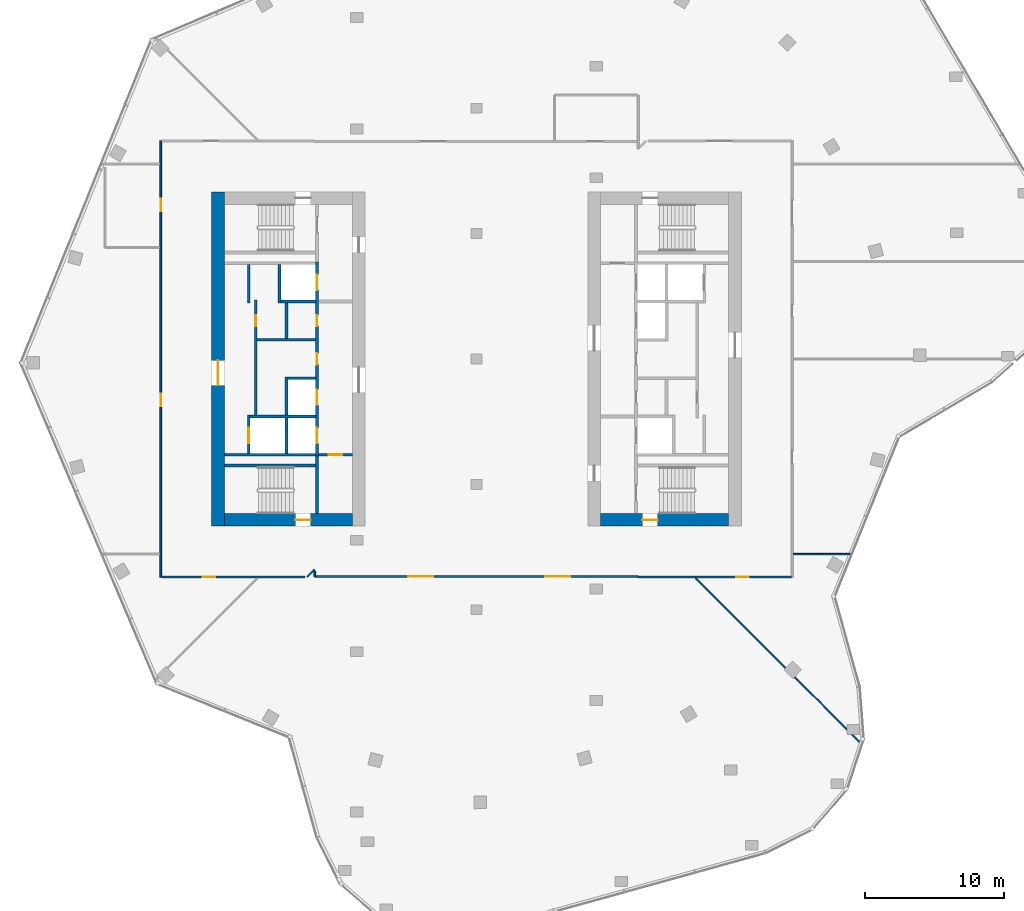
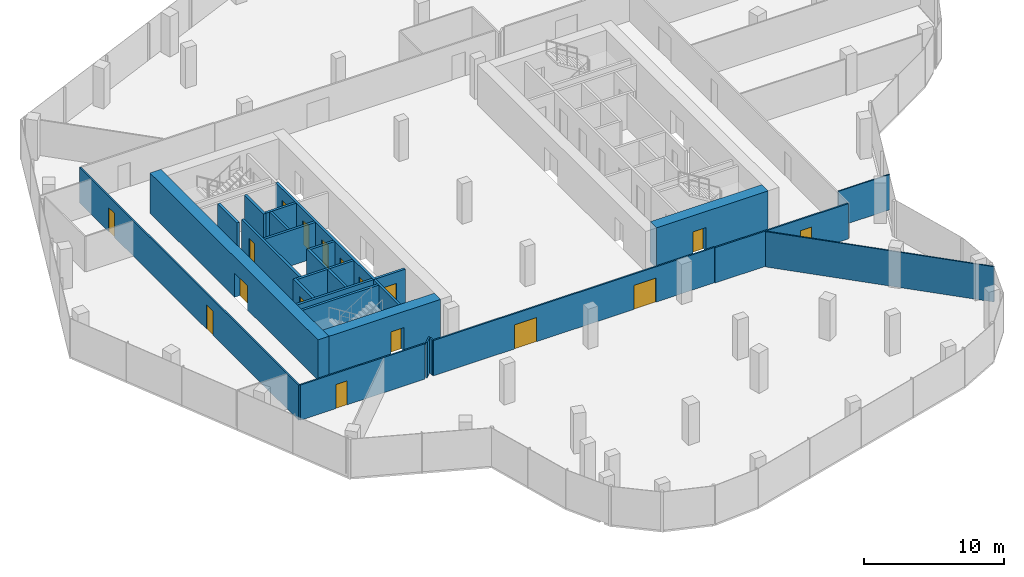
# One storey, part 12 of 15: 27 walls, 17 doors, 17 openings.
"""IFC4 building model written with IfcOpenShell, lengths in metres."""

from ifc_helpers import new_model, si_unit, direction, frame, frame_2d, origin, place, context, subcontext, project, spatial, rectangle, extrude, material, layer, layer_set, type_object, element, fill, save


model = new_model("IFC4")

# Units and contexts
model_context = context("Model", 3, precision=1e-05, world=origin(), true_north=direction((0.0, 1.0)))
body_context = subcontext(model_context, "Body", "Model", "MODEL_VIEW")
ifc_project = project(units=[si_unit("LENGTHUNIT", "METRE"), si_unit("AREAUNIT", "SQUARE_METRE"), si_unit("VOLUMEUNIT", "CUBIC_METRE"), si_unit("PLANEANGLEUNIT", "RADIAN"), si_unit("MASSUNIT", "GRAM", prefix="KILO")], contexts=[model_context])

# Site, building, storey
site_placement = place(None, origin())
site = spatial("IfcSite", under=ifc_project, at=site_placement, CompositionType="ELEMENT")
building_placement = place(site_placement, origin())
building = spatial("IfcBuilding", under=site, at=building_placement, Name="Orlundy Tower", CompositionType="ELEMENT")
storey_placement = place(building_placement, frame((0.0, 0.0, 278.89990234375)))
storey = spatial("IfcBuildingStorey", under=building, at=storey_placement, Name="L74", CompositionType="ELEMENT", Elevation=278.89990234375)

# Wall, opening, door
ifc_material_1 = material(Name="Concrete C50/60", Category="concrete")
ifc_layer_1 = layer(ifc_material_1, 0.89990234375)
ifc_layer_set_1 = layer_set([ifc_layer_1], Name="CORE WALL 900 C50/60")
wall_type_1 = type_object("IfcWallType", Name="CORE WALL 900 C50/60", PredefinedType="SHEAR", material=ifc_layer_set_1)
wall_1_placement = place(storey_placement, frame((-18.10009765625, -11.550048828125, 0.0), z_axis=(0.0, 0.0, 1.0), x_axis=(1.0, 0.0, 0.0)))
wall_1 = element("IfcWall", 1, at=wall_1_placement, inside=storey, type_object=wall_type_1, Name="Core wall W-S L74", PredefinedType="SHEAR", context=body_context, shape_type="SweptSolid", body=[
    extrude(rectangle(XDim=9.2001953125, YDim=0.89990234375, at=frame_2d((4.60009765625, 0.0))), origin(), (0.0, 0.0, 1.0), 3.5),
])
opening_1_placement = place(wall_1_placement, frame((5.10009765625, 0.0, 0.0)))
opening_1 = element("IfcOpeningElement", 2, at=opening_1_placement, cuts=wall_1, Name="Opening 56012", PredefinedType="OPENING", context=body_context, shape_type="SweptSolid", body=[
    extrude(rectangle(XDim=1.10009765625, YDim=2.10009765625, at=frame_2d((0.550048828125, 1.050048828125))), frame((0.0, 0.4599609375, 0.0), z_axis=(0.0, -1.0, 0.0), x_axis=(1.0, 0.0, 0.0)), (0.0, 0.0, 1.0), 0.919921875),
])
ifc_material_2 = material(Name="Steel door set", Category="steel")
door_type_1 = type_object("IfcDoorType", Name="Stair Door 1100x2100", OperationType="SINGLE_SWING_LEFT", PredefinedType="DOOR", material=ifc_material_2)
door_1_placement = place(opening_1_placement, origin())
door_1 = element("IfcDoor", 3, at=door_1_placement, inside=storey, type_object=door_type_1, Name="Stair door 56012", OperationType="SINGLE_SWING_RIGHT", OverallHeight=2.10009765625, OverallWidth=1.10009765625, PredefinedType="DOOR", context=body_context, shape_type="SweptSolid", body=[
    extrude(rectangle(XDim=1.10009765625, YDim=2.10009765625, at=frame_2d((0.550048828125, 1.050048828125))), frame((0.0, 0.02490234375, 0.0), z_axis=(0.0, -1.0, 0.0), x_axis=(1.0, 0.0, 0.0)), (0.0, 0.0, 1.0), 0.050048828125),
])
fill(opening_1, door_1)

wall_2_placement = place(storey_placement, frame((-18.550048828125, -12.0, 0.0), z_axis=(0.0, 0.0, 1.0), x_axis=(0.0, 1.0, 0.0)))
wall_2 = element("IfcWall", 4, at=wall_2_placement, inside=storey, type_object=wall_type_1, Name="Core wall W-W L74", PredefinedType="SHEAR", context=body_context, shape_type="SweptSolid", body=[
    extrude(rectangle(XDim=24.0, YDim=0.89990234375, at=frame_2d((12.0, 0.0))), origin(), (0.0, 0.0, 1.0), 3.5),
])
opening_2_placement = place(wall_2_placement, frame((10.10009765625, 0.0, 0.0)))
opening_2 = element("IfcOpeningElement", 5, at=opening_2_placement, cuts=wall_2, Name="Opening 56009", PredefinedType="OPENING", context=body_context, shape_type="SweptSolid", body=[
    extrude(rectangle(XDim=1.800048828125, YDim=2.10009765625, at=frame_2d((0.89990234375, 1.050048828125))), frame((0.0, 0.4599609375, 0.0), z_axis=(0.0, -1.0, 0.0), x_axis=(1.0, 0.0, 0.0)), (0.0, 0.0, 1.0), 0.919921875),
])
ifc_material_3 = material(Name="Timber door set", Category="wood")
door_type_2 = type_object("IfcDoorType", Name="Lobby Door 1800x2100", OperationType="DOUBLE_DOOR_DOUBLE_SWING", PredefinedType="DOOR", material=ifc_material_3)
door_2_placement = place(opening_2_placement, origin())
door_2 = element("IfcDoor", 6, at=door_2_placement, inside=storey, type_object=door_type_2, Name="Lift lobby door 56009", OperationType="SINGLE_SWING_LEFT", OverallHeight=2.10009765625, OverallWidth=1.800048828125, PredefinedType="DOOR", context=body_context, shape_type="SweptSolid", body=[
    extrude(rectangle(XDim=1.800048828125, YDim=2.10009765625, at=frame_2d((0.89990234375, 1.050048828125))), frame((0.0, 0.02490234375, 0.0), z_axis=(0.0, -1.0, 0.0), x_axis=(1.0, 0.0, 0.0)), (0.0, 0.0, 1.0), 0.050048828125),
])
fill(opening_2, door_2)

wall_3_placement = place(storey_placement, frame((8.89990234375, -11.550048828125, 0.0), z_axis=(0.0, 0.0, 1.0), x_axis=(1.0, 0.0, 0.0)))
wall_3 = element("IfcWall", 7, at=wall_3_placement, inside=storey, type_object=wall_type_1, Name="Core wall E-S L74", PredefinedType="SHEAR", context=body_context, shape_type="SweptSolid", body=[
    extrude(rectangle(XDim=9.2001953125, YDim=0.89990234375, at=frame_2d((4.60009765625, 0.0))), origin(), (0.0, 0.0, 1.0), 3.5),
])
opening_3_placement = place(wall_3_placement, frame((3.0, 0.0, 0.0)))
opening_3 = element("IfcOpeningElement", 8, at=opening_3_placement, cuts=wall_3, Name="Opening 56060", PredefinedType="OPENING", context=body_context, shape_type="SweptSolid", body=[
    extrude(rectangle(XDim=1.10009765625, YDim=2.10009765625, at=frame_2d((0.550048828125, 1.050048828125))), frame((0.0, 0.4599609375, 0.0), z_axis=(0.0, -1.0, 0.0), x_axis=(1.0, 0.0, 0.0)), (0.0, 0.0, 1.0), 0.919921875),
])
door_3_placement = place(opening_3_placement, origin())
door_3 = element("IfcDoor", 9, at=door_3_placement, inside=storey, type_object=door_type_1, Name="Stair door 56060", OperationType="SINGLE_SWING_LEFT", OverallHeight=2.10009765625, OverallWidth=1.10009765625, PredefinedType="DOOR", context=body_context, shape_type="SweptSolid", body=[
    extrude(rectangle(XDim=1.10009765625, YDim=2.10009765625, at=frame_2d((0.550048828125, 1.050048828125))), frame((0.0, 0.02490234375, 0.0), z_axis=(0.0, -1.0, 0.0), x_axis=(1.0, 0.0, 0.0)), (0.0, 0.0, 1.0), 0.050048828125),
])
fill(opening_3, door_3)

# Walls
ifc_material_4 = material(Name="Gypsum board partition")
ifc_layer_2 = layer(ifc_material_4, 0.10009765625)
ifc_layer_set_2 = layer_set([ifc_layer_2], Name="Floor partition 100")
wall_type_2 = type_object("IfcWallType", Name="Floor partition 100", PredefinedType="PARTITIONING", material=ifc_layer_set_2)
wall_4_placement = place(storey_placement, frame((27.68701171875, -27.68505859375, 0.0), z_axis=(0.0, 0.0, 1.0), x_axis=(-0.70713570585, 0.70707785534, 0.0)))
element("IfcWall", 10, at=wall_4_placement, inside=storey, type_object=wall_type_2, Name="wall-int-L74-002", PredefinedType="PARTITIONING", context=body_context, shape_type="SweptSolid", body=[
    extrude(rectangle(XDim=16.880859375, YDim=0.10009765625, at=frame_2d((8.4404296875, 0.0))), origin(), (0.0, 0.0, 1.0), 3.080078125),
])
wall_5_placement = place(storey_placement, frame((22.7119140625, -14.0, 0.0), z_axis=(0.0, 0.0, 1.0), x_axis=(1.0, 0.0, 0.0)))
element("IfcWall", 11, at=wall_5_placement, inside=storey, type_object=wall_type_2, Name="wall-int-L74-008", PredefinedType="PARTITIONING", context=body_context, shape_type="SweptSolid", body=[
    extrude(rectangle(XDim=4.258056640625, YDim=0.10009765625, at=frame_2d((2.12890625, 0.0))), origin(), (0.0, 0.0, 1.0), 3.080078125),
])
ifc_material_5 = material(Name="Gypsum board partition, double layer")
ifc_layer_3 = layer(ifc_material_5, 0.125)
ifc_layer_set_3 = layer_set([ifc_layer_3], Name="Floor partition 125")
wall_type_3 = type_object("IfcWallType", Name="Floor partition 125", PredefinedType="PARTITIONING", material=ifc_layer_set_3)
wall_6_placement = place(storey_placement, frame((-11.60107421875, -15.241943359375, 0.0), z_axis=(0.0, 0.0, 1.0), x_axis=(0.002734097778, -0.999996262348, 0.0)))
element("IfcWall", 12, at=wall_6_placement, inside=storey, type_object=wall_type_3, Name="wall-int-L74-001", PredefinedType="PARTITIONING", context=body_context, shape_type="SweptSolid", body=[
    extrude(rectangle(XDim=0.357177734375, YDim=0.125, at=frame_2d((0.1787109375, 0.0))), origin(), (0.0, 0.0, 1.0), 3.080078125),
])

# Wall, opening, door
wall_7_placement = place(storey_placement, frame((-12.31103515625, -15.65087890625, 0.0), z_axis=(0.0, 0.0, 1.0), x_axis=(-1.0, 0.0, 0.0)))
wall_7 = element("IfcWall", 13, at=wall_7_placement, inside=storey, type_object=wall_type_3, Name="wall-int-L74-004", PredefinedType="PARTITIONING", context=body_context, shape_type="SweptSolid", body=[
    extrude(rectangle(XDim=10.27587890625, YDim=0.125, at=frame_2d((5.137939453125, 0.0))), origin(), (0.0, 0.0, 1.0), 3.080078125),
])
opening_4_placement = place(wall_7_placement, frame((6.440185546875, 0.0, 0.0)))
opening_4 = element("IfcOpeningElement", 14, at=opening_4_placement, cuts=wall_7, Name="Opening 56101", PredefinedType="OPENING", context=body_context, shape_type="SweptSolid", body=[
    extrude(rectangle(XDim=0.89990234375, YDim=2.10009765625, at=frame_2d((0.449951171875, 1.050048828125))), frame((0.0, 0.072509765625, 0.0), z_axis=(0.0, -1.0, 0.0), x_axis=(1.0, 0.0, 0.0)), (0.0, 0.0, 1.0), 0.14501953125),
])
ifc_material_6 = material(Name="Timber door leaf", Category="wood")
door_type_3 = type_object("IfcDoorType", Name="Floor door single 900 FD30S", OperationType="NOTDEFINED", PredefinedType="DOOR", material=ifc_material_6)
door_4_placement = place(opening_4_placement, origin())
door_4 = element("IfcDoor", 15, at=door_4_placement, inside=storey, type_object=door_type_3, Name="Door 56101", OperationType="SINGLE_SWING_RIGHT", OverallHeight=2.10009765625, OverallWidth=0.89990234375, PredefinedType="DOOR", context=body_context, shape_type="SweptSolid", body=[
    extrude(rectangle(XDim=0.89990234375, YDim=2.10009765625, at=frame_2d((0.449951171875, 1.050048828125))), frame((0.0, 0.02490234375, 0.0), z_axis=(0.0, -1.0, 0.0), x_axis=(1.0, 0.0, 0.0)), (0.0, 0.0, 1.0), 0.050048828125),
])
fill(opening_4, door_4)

wall_8_placement = place(storey_placement, frame((22.5869140625, -15.65087890625, 0.0), z_axis=(0.0, 0.0, 1.0), x_axis=(-1.0, 0.0, 0.0)))
wall_8 = element("IfcWall", 16, at=wall_8_placement, inside=storey, type_object=wall_type_3, Name="wall-int-L74-005", PredefinedType="PARTITIONING", context=body_context, shape_type="SweptSolid", body=[
    extrude(rectangle(XDim=10.995849609375, YDim=0.125, at=frame_2d((5.498046875, 0.0))), origin(), (0.0, 0.0, 1.0), 3.080078125),
])
opening_5_placement = place(wall_8_placement, frame((3.03759765625, 0.0, 0.0)))
opening_5 = element("IfcOpeningElement", 17, at=opening_5_placement, cuts=wall_8, Name="Opening 56104", PredefinedType="OPENING", context=body_context, shape_type="SweptSolid", body=[
    extrude(rectangle(XDim=0.89990234375, YDim=2.10009765625, at=frame_2d((0.449951171875, 1.050048828125))), frame((0.0, 0.072509765625, 0.0), z_axis=(0.0, -1.0, 0.0), x_axis=(1.0, 0.0, 0.0)), (0.0, 0.0, 1.0), 0.14501953125),
])
door_5_placement = place(opening_5_placement, origin())
door_5 = element("IfcDoor", 18, at=door_5_placement, inside=storey, type_object=door_type_3, Name="Door 56104", OperationType="SINGLE_SWING_LEFT", OverallHeight=2.10009765625, OverallWidth=0.89990234375, PredefinedType="DOOR", context=body_context, shape_type="SweptSolid", body=[
    extrude(rectangle(XDim=0.89990234375, YDim=2.10009765625, at=frame_2d((0.449951171875, 1.050048828125))), frame((0.0, 0.02490234375, 0.0), z_axis=(0.0, -1.0, 0.0), x_axis=(1.0, 0.0, 0.0)), (0.0, 0.0, 1.0), 0.050048828125),
])
fill(opening_5, door_5)

# Wall, openings, doors
wall_9_placement = place(storey_placement, frame((11.590087890625, -15.60009765625, 0.0), z_axis=(0.0, 0.0, 1.0), x_axis=(-1.0, 0.0, 0.0)))
wall_9 = element("IfcWall", 19, at=wall_9_placement, inside=storey, type_object=wall_type_3, Name="wall-int-L74-006", PredefinedType="PARTITIONING", context=body_context, shape_type="SweptSolid", body=[
    extrude(rectangle(XDim=23.189208984375, YDim=0.125, at=frame_2d((11.5947265625, 0.0))), origin(), (0.0, 0.0, 1.0), 3.080078125),
])
opening_6_placement = place(wall_9_placement, frame((14.68994140625, 0.0, 0.0)))
opening_6 = element("IfcOpeningElement", 20, at=opening_6_placement, cuts=wall_9, Name="Opening 56102", PredefinedType="OPENING", context=body_context, shape_type="SweptSolid", body=[
    extrude(rectangle(XDim=1.800048828125, YDim=2.10009765625, at=frame_2d((0.89990234375, 1.050048828125))), frame((0.0, 0.072509765625, 0.0), z_axis=(0.0, -1.0, 0.0), x_axis=(1.0, 0.0, 0.0)), (0.0, 0.0, 1.0), 0.14501953125),
])
opening_7_placement = place(wall_9_placement, frame((4.85009765625, 0.0, 0.0)))
opening_7 = element("IfcOpeningElement", 21, at=opening_7_placement, cuts=wall_9, Name="Opening 56103", PredefinedType="OPENING", context=body_context, shape_type="SweptSolid", body=[
    extrude(rectangle(XDim=1.800048828125, YDim=2.10009765625, at=frame_2d((0.89990234375, 1.050048828125))), frame((0.0, 0.072509765625, 0.0), z_axis=(0.0, -1.0, 0.0), x_axis=(1.0, 0.0, 0.0)), (0.0, 0.0, 1.0), 0.14501953125),
])
ifc_material_7 = material(Name="Timber door leaf", Category="wood")
door_type_4 = type_object("IfcDoorType", Name="Floor door double 1800 FD30S", OperationType="NOTDEFINED", PredefinedType="DOOR", material=ifc_material_7)
door_6_placement = place(opening_6_placement, origin())
door_6 = element("IfcDoor", 22, at=door_6_placement, inside=storey, type_object=door_type_4, Name="Door 56102", OperationType="DOUBLE_DOOR_SINGLE_SWING", OverallHeight=2.10009765625, OverallWidth=1.800048828125, PredefinedType="DOOR", context=body_context, shape_type="SweptSolid", body=[
    extrude(rectangle(XDim=1.800048828125, YDim=2.10009765625, at=frame_2d((0.89990234375, 1.050048828125))), frame((0.0, 0.02490234375, 0.0), z_axis=(0.0, -1.0, 0.0), x_axis=(1.0, 0.0, 0.0)), (0.0, 0.0, 1.0), 0.050048828125),
])
fill(opening_6, door_6)
door_7_placement = place(opening_7_placement, origin())
door_7 = element("IfcDoor", 23, at=door_7_placement, inside=storey, type_object=door_type_4, Name="Door 56103", OperationType="DOUBLE_DOOR_SINGLE_SWING", OverallHeight=2.10009765625, OverallWidth=1.800048828125, PredefinedType="DOOR", context=body_context, shape_type="SweptSolid", body=[
    extrude(rectangle(XDim=1.800048828125, YDim=2.10009765625, at=frame_2d((0.89990234375, 1.050048828125))), frame((0.0, 0.02490234375, 0.0), z_axis=(0.0, -1.0, 0.0), x_axis=(1.0, 0.0, 0.0)), (0.0, 0.0, 1.0), 0.050048828125),
])
fill(opening_7, door_7)

# Wall
wall_10_placement = place(storey_placement, frame((-12.153076171875, -15.626953125, 0.0), z_axis=(0.0, 0.0, 1.0), x_axis=(0.707270558084, 0.706942966348, 0.0)))
element("IfcWall", 24, at=wall_10_placement, inside=storey, type_object=wall_type_3, Name="wall-int-L74-018", PredefinedType="PARTITIONING", context=body_context, shape_type="SweptSolid", body=[
    extrude(rectangle(XDim=0.745361328125, YDim=0.125, at=frame_2d((0.37255859375, 0.0))), origin(), (0.0, 0.0, 1.0), 3.080078125),
])

# Wall, openings, doors
wall_11_placement = place(storey_placement, frame((-22.64990234375, -15.65087890625, 0.0), z_axis=(0.0, 0.0, 1.0), x_axis=(0.0, 1.0, 0.0)))
wall_11 = element("IfcWall", 25, at=wall_11_placement, inside=storey, type_object=wall_type_3, Name="wall-int-L74-024", PredefinedType="PARTITIONING", context=body_context, shape_type="SweptSolid", body=[
    extrude(rectangle(XDim=31.3017578125, YDim=0.125, at=frame_2d((15.65087890625, 0.0))), origin(), (0.0, 0.0, 1.0), 3.080078125),
])
opening_8_placement = place(wall_11_placement, frame((12.2509765625, 0.0, 0.0)))
opening_8 = element("IfcOpeningElement", 26, at=opening_8_placement, cuts=wall_11, Name="Opening 56100", PredefinedType="OPENING", context=body_context, shape_type="SweptSolid", body=[
    extrude(rectangle(XDim=0.89990234375, YDim=2.10009765625, at=frame_2d((0.449951171875, 1.050048828125))), frame((0.0, 0.072509765625, 0.0), z_axis=(0.0, -1.0, 0.0), x_axis=(1.0, 0.0, 0.0)), (0.0, 0.0, 1.0), 0.14501953125),
])
opening_9_placement = place(wall_11_placement, frame((26.251953125, 0.0, 0.0)))
opening_9 = element("IfcOpeningElement", 27, at=opening_9_placement, cuts=wall_11, Name="Opening 56111", PredefinedType="OPENING", context=body_context, shape_type="SweptSolid", body=[
    extrude(rectangle(XDim=0.89990234375, YDim=2.10009765625, at=frame_2d((0.449951171875, 1.050048828125))), frame((0.0, 0.072509765625, 0.0), z_axis=(0.0, -1.0, 0.0), x_axis=(1.0, 0.0, 0.0)), (0.0, 0.0, 1.0), 0.14501953125),
])
door_8_placement = place(opening_8_placement, origin())
door_8 = element("IfcDoor", 28, at=door_8_placement, inside=storey, type_object=door_type_3, Name="Door 56100", OperationType="SINGLE_SWING_LEFT", OverallHeight=2.10009765625, OverallWidth=0.89990234375, PredefinedType="DOOR", context=body_context, shape_type="SweptSolid", body=[
    extrude(rectangle(XDim=0.89990234375, YDim=2.10009765625, at=frame_2d((0.449951171875, 1.050048828125))), frame((0.0, 0.02490234375, 0.0), z_axis=(0.0, -1.0, 0.0), x_axis=(1.0, 0.0, 0.0)), (0.0, 0.0, 1.0), 0.050048828125),
])
fill(opening_8, door_8)
door_9_placement = place(opening_9_placement, origin())
door_9 = element("IfcDoor", 29, at=door_9_placement, inside=storey, type_object=door_type_3, Name="Door 56111", OperationType="SINGLE_SWING_RIGHT", OverallHeight=2.10009765625, OverallWidth=0.89990234375, PredefinedType="DOOR", context=body_context, shape_type="SweptSolid", body=[
    extrude(rectangle(XDim=0.89990234375, YDim=2.10009765625, at=frame_2d((0.449951171875, 1.050048828125))), frame((0.0, 0.02490234375, 0.0), z_axis=(0.0, -1.0, 0.0), x_axis=(1.0, 0.0, 0.0)), (0.0, 0.0, 1.0), 0.050048828125),
])
fill(opening_9, door_9)

# Walls
ifc_material_8 = material(Name="Concrete C40/50", Category="concrete")
ifc_layer_4 = layer(ifc_material_8, 0.199951171875)
ifc_layer_set_4 = layer_set([ifc_layer_4], Name="Load-bearing Shaft Wall 200")
wall_type_4 = type_object("IfcWallType", Name="Load-bearing Shaft Wall 200", PredefinedType="SOLIDWALL", material=ifc_layer_set_4)
wall_12_placement = place(storey_placement, frame((-11.43994140625, -11.10009765625, 0.0), z_axis=(0.0, 0.0, 1.0), x_axis=(0.0, 1.0, 0.0)))
element("IfcWall", 30, at=wall_12_placement, inside=storey, type_object=wall_type_4, Name="Shaft wall W56-stair-end-s", PredefinedType="SOLIDWALL", context=body_context, shape_type="SweptSolid", body=[
    extrude(rectangle(XDim=4.125, YDim=0.199951171875, at=frame_2d((2.0625, 0.0))), origin(), (0.0, 0.0, 1.0), 3.090087890625),
])
wall_13_placement = place(storey_placement, frame((-11.5400390625, -7.64990234375, 0.0), z_axis=(0.0, 0.0, 1.0), x_axis=(-1.0, 0.0, 0.0)))
element("IfcWall", 31, at=wall_13_placement, inside=storey, type_object=wall_type_4, Name="Shaft wall W56-stair-side-s", PredefinedType="SOLIDWALL", context=body_context, shape_type="SweptSolid", body=[
    extrude(rectangle(XDim=6.56005859375, YDim=0.199951171875, at=frame_2d((3.280029296875, 0.0))), origin(), (0.0, 0.0, 1.0), 3.090087890625),
])

# Wall, opening, door
ifc_material_9 = material(Name="Gypsum board partition on steel studs", Category="steel")
ifc_layer_5 = layer(ifc_material_9, 0.199951171875)
ifc_layer_set_5 = layer_set([ifc_layer_5], Name="Partition 200")
wall_type_5 = type_object("IfcWallType", Name="Partition 200", PredefinedType="PARTITIONING", material=ifc_layer_set_5)
wall_14_placement = place(storey_placement, frame((-8.89990234375, -6.875, 0.0), z_axis=(0.0, 0.0, 1.0), x_axis=(-1.0, 0.0, 0.0)))
wall_14 = element("IfcWall", 32, at=wall_14_placement, inside=storey, type_object=wall_type_5, Name="Partition wall W56-end-s", PredefinedType="PARTITIONING", context=body_context, shape_type="SweptSolid", body=[
    extrude(rectangle(XDim=2.440185546875, YDim=0.199951171875, at=frame_2d((1.22021484375, 0.0))), origin(), (0.0, 0.0, 1.0), 3.090087890625),
])
opening_10_placement = place(wall_14_placement, frame((0.719970703125, 0.0, 0.0)))
opening_10 = element("IfcOpeningElement", 33, at=opening_10_placement, cuts=wall_14, Name="Opening 56014", PredefinedType="OPENING", context=body_context, shape_type="SweptSolid", body=[
    extrude(rectangle(XDim=1.0, YDim=2.10009765625, at=frame_2d((0.5, 1.050048828125))), frame((0.0, 0.110107421875, 0.0), z_axis=(0.0, -1.0, 0.0), x_axis=(1.0, 0.0, 0.0)), (0.0, 0.0, 1.0), 0.22021484375),
])
ifc_material_10 = material(Name="Timber door set", Category="wood")
door_type_5 = type_object("IfcDoorType", Name="Accessible Door 1000x2100", OperationType="SINGLE_SWING_LEFT", PredefinedType="DOOR", material=ifc_material_10)
door_10_placement = place(opening_10_placement, origin())
door_10 = element("IfcDoor", 34, at=door_10_placement, inside=storey, type_object=door_type_5, Name="Accessible WC door 56014", OperationType="SINGLE_SWING_RIGHT", OverallHeight=2.10009765625, OverallWidth=1.0, PredefinedType="DOOR", context=body_context, shape_type="SweptSolid", body=[
    extrude(rectangle(XDim=1.0, YDim=2.10009765625, at=frame_2d((0.5, 1.050048828125))), frame((0.0, 0.02490234375, 0.0), z_axis=(0.0, -1.0, 0.0), x_axis=(1.0, 0.0, 0.0)), (0.0, 0.0, 1.0), 0.050048828125),
])
fill(opening_10, door_10)

# Walls
ifc_material_11 = material(Name="Fire-rated blockwork shaft wall", Category="masonry")
ifc_layer_6 = layer(ifc_material_11, 0.199951171875)
ifc_layer_set_6 = layer_set([ifc_layer_6], Name="Shaft Wall 200")
wall_type_6 = type_object("IfcWallType", Name="Shaft Wall 200", PredefinedType="SOLIDWALL", material=ifc_layer_set_6)
wall_15_placement = place(storey_placement, frame((-11.5400390625, -6.875, 0.0), z_axis=(0.0, 0.0, 1.0), x_axis=(-1.0, 0.0, 0.0)))
element("IfcWall", 35, at=wall_15_placement, inside=storey, type_object=wall_type_6, Name="Shaft wall W56-zone-s", PredefinedType="SOLIDWALL", context=body_context, shape_type="SweptSolid", body=[
    extrude(rectangle(XDim=6.56005859375, YDim=0.199951171875, at=frame_2d((3.280029296875, 0.0))), origin(), (0.0, 0.0, 1.0), 3.090087890625),
])
wall_16_placement = place(storey_placement, frame((-11.5400390625, -4.125, 0.0), z_axis=(0.0, 0.0, 1.0), x_axis=(-1.0, 0.0, 0.0)))
element("IfcWall", 36, at=wall_16_placement, inside=storey, type_object=wall_type_6, Name="Shaft wall W56-cross-4.125", PredefinedType="SOLIDWALL", context=body_context, shape_type="SweptSolid", body=[
    extrude(rectangle(XDim=4.699951171875, YDim=0.199951171875, at=frame_2d((2.35009765625, 0.0))), origin(), (0.0, 0.0, 1.0), 3.090087890625),
])
wall_17_placement = place(storey_placement, frame((-11.5400390625, -1.375, 0.0), z_axis=(0.0, 0.0, 1.0), x_axis=(-1.0, 0.0, 0.0)))
element("IfcWall", 37, at=wall_17_placement, inside=storey, type_object=wall_type_6, Name="Shaft wall W56-cross-1.375", PredefinedType="SOLIDWALL", context=body_context, shape_type="SweptSolid", body=[
    extrude(rectangle(XDim=2.0, YDim=0.199951171875, at=frame_2d((1.0, 0.0))), origin(), (0.0, 0.0, 1.0), 3.090087890625),
])
wall_18_placement = place(storey_placement, frame((-11.5400390625, 1.375, 0.0), z_axis=(0.0, 0.0, 1.0), x_axis=(-1.0, 0.0, 0.0)))
element("IfcWall", 38, at=wall_18_placement, inside=storey, type_object=wall_type_6, Name="Shaft wall W56-cross+1.375", PredefinedType="SOLIDWALL", context=body_context, shape_type="SweptSolid", body=[
    extrude(rectangle(XDim=4.199951171875, YDim=0.199951171875, at=frame_2d((2.10009765625, 0.0))), origin(), (0.0, 0.0, 1.0), 3.090087890625),
])
wall_19_placement = place(storey_placement, frame((-11.5400390625, 4.125, 0.0), z_axis=(0.0, 0.0, 1.0), x_axis=(-1.0, 0.0, 0.0)))
element("IfcWall", 39, at=wall_19_placement, inside=storey, type_object=wall_type_6, Name="Shaft wall W56-cross+4.125", PredefinedType="SOLIDWALL", context=body_context, shape_type="SweptSolid", body=[
    extrude(rectangle(XDim=2.5, YDim=0.199951171875, at=frame_2d((1.25, 0.0))), origin(), (0.0, 0.0, 1.0), 3.090087890625),
])

# Wall, openings, doors
wall_20_placement = place(storey_placement, frame((-11.43994140625, -6.97509765625, 0.0), z_axis=(0.0, 0.0, 1.0), x_axis=(0.0, 1.0, 0.0)))
wall_20 = element("IfcWall", 40, at=wall_20_placement, inside=storey, type_object=wall_type_6, Name="Shaft wall W56-front-h", PredefinedType="SOLIDWALL", context=body_context, shape_type="SweptSolid", body=[
    extrude(rectangle(XDim=13.9501953125, YDim=0.199951171875, at=frame_2d((6.97509765625, 0.0))), origin(), (0.0, 0.0, 1.0), 3.090087890625),
])
opening_11_placement = place(wall_20_placement, frame((0.925048828125, 0.0, 0.0)))
opening_11 = element("IfcOpeningElement", 41, at=opening_11_placement, cuts=wall_20, Name="Opening 56001", PredefinedType="OPENING", context=body_context, shape_type="SweptSolid", body=[
    extrude(rectangle(XDim=1.10009765625, YDim=2.10009765625, at=frame_2d((0.550048828125, 1.050048828125))), frame((0.0, 0.110107421875, 0.0), z_axis=(0.0, -1.0, 0.0), x_axis=(1.0, 0.0, 0.0)), (0.0, 0.0, 1.0), 0.22021484375),
])
opening_12_placement = place(wall_20_placement, frame((3.675048828125, 0.0, 0.0)))
opening_12 = element("IfcOpeningElement", 42, at=opening_12_placement, cuts=wall_20, Name="Opening 56003", PredefinedType="OPENING", context=body_context, shape_type="SweptSolid", body=[
    extrude(rectangle(XDim=1.10009765625, YDim=2.10009765625, at=frame_2d((0.550048828125, 1.050048828125))), frame((0.0, 0.110107421875, 0.0), z_axis=(0.0, -1.0, 0.0), x_axis=(1.0, 0.0, 0.0)), (0.0, 0.0, 1.0), 0.22021484375),
])
opening_13_placement = place(wall_20_placement, frame((11.925048828125, 0.0, 0.0)))
opening_13 = element("IfcOpeningElement", 43, at=opening_13_placement, cuts=wall_20, Name="Opening 56004", PredefinedType="OPENING", context=body_context, shape_type="SweptSolid", body=[
    extrude(rectangle(XDim=1.10009765625, YDim=2.10009765625, at=frame_2d((0.550048828125, 1.050048828125))), frame((0.0, 0.110107421875, 0.0), z_axis=(0.0, -1.0, 0.0), x_axis=(1.0, 0.0, 0.0)), (0.0, 0.0, 1.0), 0.22021484375),
])
opening_14_placement = place(wall_20_placement, frame((6.574951171875, 0.0, 0.0)))
opening_14 = element("IfcOpeningElement", 44, at=opening_14_placement, cuts=wall_20, Name="Opening 56005", PredefinedType="OPENING", context=body_context, shape_type="SweptSolid", body=[
    extrude(rectangle(XDim=0.800048828125, YDim=2.10009765625, at=frame_2d((0.39990234375, 1.050048828125))), frame((0.0, 0.110107421875, 0.0), z_axis=(0.0, -1.0, 0.0), x_axis=(1.0, 0.0, 0.0)), (0.0, 0.0, 1.0), 0.22021484375),
])
opening_15_placement = place(wall_20_placement, frame((9.324951171875, 0.0, 0.0)))
opening_15 = element("IfcOpeningElement", 45, at=opening_15_placement, cuts=wall_20, Name="Opening 56006", PredefinedType="OPENING", context=body_context, shape_type="SweptSolid", body=[
    extrude(rectangle(XDim=0.800048828125, YDim=2.10009765625, at=frame_2d((0.39990234375, 1.050048828125))), frame((0.0, 0.110107421875, 0.0), z_axis=(0.0, -1.0, 0.0), x_axis=(1.0, 0.0, 0.0)), (0.0, 0.0, 1.0), 0.22021484375),
])
ifc_material_12 = material(Name="Steel door set", Category="steel")
door_type_6 = type_object("IfcDoorType", Name="Landing Door 1100x2100", OperationType="DOUBLE_DOOR_SLIDING", PredefinedType="DOOR", material=ifc_material_12)
door_11_placement = place(opening_11_placement, origin())
door_11 = element("IfcDoor", 46, at=door_11_placement, inside=storey, type_object=door_type_6, Name="Lift landing door LP-22 56001", OperationType="DOUBLE_DOOR_SLIDING", OverallHeight=2.10009765625, OverallWidth=1.10009765625, PredefinedType="DOOR", context=body_context, shape_type="SweptSolid", body=[
    extrude(rectangle(XDim=1.10009765625, YDim=2.10009765625, at=frame_2d((0.550048828125, 1.050048828125))), frame((0.0, 0.02490234375, 0.0), z_axis=(0.0, -1.0, 0.0), x_axis=(1.0, 0.0, 0.0)), (0.0, 0.0, 1.0), 0.050048828125),
])
fill(opening_11, door_11)
door_12_placement = place(opening_12_placement, origin())
door_12 = element("IfcDoor", 47, at=door_12_placement, inside=storey, type_object=door_type_6, Name="Lift landing door LP-21 56003", OperationType="DOUBLE_DOOR_SLIDING", OverallHeight=2.10009765625, OverallWidth=1.10009765625, PredefinedType="DOOR", context=body_context, shape_type="SweptSolid", body=[
    extrude(rectangle(XDim=1.10009765625, YDim=2.10009765625, at=frame_2d((0.550048828125, 1.050048828125))), frame((0.0, 0.02490234375, 0.0), z_axis=(0.0, -1.0, 0.0), x_axis=(1.0, 0.0, 0.0)), (0.0, 0.0, 1.0), 0.050048828125),
])
fill(opening_12, door_12)
door_13_placement = place(opening_13_placement, origin())
door_13 = element("IfcDoor", 48, at=door_13_placement, inside=storey, type_object=door_type_6, Name="Lift landing door FL1 56004", OperationType="DOUBLE_DOOR_SLIDING", OverallHeight=2.10009765625, OverallWidth=1.10009765625, PredefinedType="DOOR", context=body_context, shape_type="SweptSolid", body=[
    extrude(rectangle(XDim=1.10009765625, YDim=2.10009765625, at=frame_2d((0.550048828125, 1.050048828125))), frame((0.0, 0.02490234375, 0.0), z_axis=(0.0, -1.0, 0.0), x_axis=(1.0, 0.0, 0.0)), (0.0, 0.0, 1.0), 0.050048828125),
])
fill(opening_13, door_13)
ifc_material_13 = material(Name="Timber door set", Category="wood")
door_type_7 = type_object("IfcDoorType", Name="Riser Door 800x2100", OperationType="SINGLE_SWING_LEFT", PredefinedType="DOOR", material=ifc_material_13)
door_14_placement = place(opening_14_placement, origin())
door_14 = element("IfcDoor", 49, at=door_14_placement, inside=storey, type_object=door_type_7, Name="Refuse Room door 56005", OperationType="SINGLE_SWING_RIGHT", OverallHeight=2.10009765625, OverallWidth=0.800048828125, PredefinedType="DOOR", context=body_context, shape_type="SweptSolid", body=[
    extrude(rectangle(XDim=0.800048828125, YDim=2.10009765625, at=frame_2d((0.39990234375, 1.050048828125))), frame((0.0, 0.02490234375, 0.0), z_axis=(0.0, -1.0, 0.0), x_axis=(1.0, 0.0, 0.0)), (0.0, 0.0, 1.0), 0.050048828125),
])
fill(opening_14, door_14)
door_15_placement = place(opening_15_placement, origin())
door_15 = element("IfcDoor", 50, at=door_15_placement, inside=storey, type_object=door_type_7, Name="Cleaner's Store door 56006", OperationType="SINGLE_SWING_LEFT", OverallHeight=2.10009765625, OverallWidth=0.800048828125, PredefinedType="DOOR", context=body_context, shape_type="SweptSolid", body=[
    extrude(rectangle(XDim=0.800048828125, YDim=2.10009765625, at=frame_2d((0.39990234375, 1.050048828125))), frame((0.0, 0.02490234375, 0.0), z_axis=(0.0, -1.0, 0.0), x_axis=(1.0, 0.0, 0.0)), (0.0, 0.0, 1.0), 0.050048828125),
])
fill(opening_15, door_15)

# Walls
wall_21_placement = place(storey_placement, frame((-13.639892578125, -6.77490234375, 0.0), z_axis=(0.0, 0.0, 1.0), x_axis=(0.0, 1.0, 0.0)))
element("IfcWall", 51, at=wall_21_placement, inside=storey, type_object=wall_type_6, Name="Shaft wall W56-mid-a", PredefinedType="SOLIDWALL", context=body_context, shape_type="SweptSolid", body=[
    extrude(rectangle(XDim=2.5498046875, YDim=0.199951171875, at=frame_2d((1.27490234375, 0.0))), origin(), (0.0, 0.0, 1.0), 3.090087890625),
])
wall_22_placement = place(storey_placement, frame((-13.639892578125, -4.02490234375, 0.0), z_axis=(0.0, 0.0, 1.0), x_axis=(0.0, 1.0, 0.0)))
element("IfcWall", 52, at=wall_22_placement, inside=storey, type_object=wall_type_6, Name="Shaft wall W56-mid-a.1", PredefinedType="SOLIDWALL", context=body_context, shape_type="SweptSolid", body=[
    extrude(rectangle(XDim=2.75, YDim=0.199951171875, at=frame_2d((1.375, 0.0))), origin(), (0.0, 0.0, 1.0), 3.090087890625),
])
wall_23_placement = place(storey_placement, frame((-13.639892578125, 1.47509765625, 0.0), z_axis=(0.0, 0.0, 1.0), x_axis=(0.0, 1.0, 0.0)))
element("IfcWall", 53, at=wall_23_placement, inside=storey, type_object=wall_type_6, Name="Shaft wall W56-mid-a1", PredefinedType="SOLIDWALL", context=body_context, shape_type="SweptSolid", body=[
    extrude(rectangle(XDim=2.5498046875, YDim=0.199951171875, at=frame_2d((1.27490234375, 0.0))), origin(), (0.0, 0.0, 1.0), 3.090087890625),
])
wall_24_placement = place(storey_placement, frame((-14.139892578125, 4.02490234375, 0.0), z_axis=(0.0, 0.0, 1.0), x_axis=(0.0, 1.0, 0.0)))
element("IfcWall", 54, at=wall_24_placement, inside=storey, type_object=wall_type_6, Name="Shaft wall W56-mid-b", PredefinedType="SOLIDWALL", context=body_context, shape_type="SweptSolid", body=[
    extrude(rectangle(XDim=2.75, YDim=0.199951171875, at=frame_2d((1.375, 0.0))), origin(), (0.0, 0.0, 1.0), 3.090087890625),
])

# Wall, opening, door
wall_25_placement = place(storey_placement, frame((-16.340087890625, -6.77490234375, 0.0), z_axis=(0.0, 0.0, 1.0), x_axis=(0.0, 1.0, 0.0)))
wall_25 = element("IfcWall", 55, at=wall_25_placement, inside=storey, type_object=wall_type_6, Name="Shaft wall W56-front-o-a", PredefinedType="SOLIDWALL", context=body_context, shape_type="SweptSolid", body=[
    extrude(rectangle(XDim=2.75, YDim=0.199951171875, at=frame_2d((1.375, 0.0))), origin(), (0.0, 0.0, 1.0), 3.090087890625),
])
opening_16_placement = place(wall_25_placement, frame((0.72509765625, 0.0, 0.0)))
opening_16 = element("IfcOpeningElement", 56, at=opening_16_placement, cuts=wall_25, Name="Opening 56002", PredefinedType="OPENING", context=body_context, shape_type="SweptSolid", body=[
    extrude(rectangle(XDim=1.10009765625, YDim=2.10009765625, at=frame_2d((0.550048828125, 1.050048828125))), frame((0.0, 0.110107421875, 0.0), z_axis=(0.0, -1.0, 0.0), x_axis=(1.0, 0.0, 0.0)), (0.0, 0.0, 1.0), 0.22021484375),
])
door_16_placement = place(opening_16_placement, origin())
door_16 = element("IfcDoor", 57, at=door_16_placement, inside=storey, type_object=door_type_6, Name="Lift landing door LV-01 56002", OperationType="DOUBLE_DOOR_SLIDING", OverallHeight=2.10009765625, OverallWidth=1.10009765625, PredefinedType="DOOR", context=body_context, shape_type="SweptSolid", body=[
    extrude(rectangle(XDim=1.10009765625, YDim=2.10009765625, at=frame_2d((0.550048828125, 1.050048828125))), frame((0.0, 0.02490234375, 0.0), z_axis=(0.0, -1.0, 0.0), x_axis=(1.0, 0.0, 0.0)), (0.0, 0.0, 1.0), 0.050048828125),
])
fill(opening_16, door_16)

wall_26_placement = place(storey_placement, frame((-15.840087890625, -4.02490234375, 0.0), z_axis=(0.0, 0.0, 1.0), x_axis=(0.0, 1.0, 0.0)))
wall_26 = element("IfcWall", 58, at=wall_26_placement, inside=storey, type_object=wall_type_6, Name="Shaft wall W56-front-o-b", PredefinedType="SOLIDWALL", context=body_context, shape_type="SweptSolid", body=[
    extrude(rectangle(XDim=8.25, YDim=0.199951171875, at=frame_2d((4.125, 0.0))), origin(), (0.0, 0.0, 1.0), 3.090087890625),
])
opening_17_placement = place(wall_26_placement, frame((6.375, 0.0, 0.0)))
opening_17 = element("IfcOpeningElement", 59, at=opening_17_placement, cuts=wall_26, Name="Opening 56007", PredefinedType="OPENING", context=body_context, shape_type="SweptSolid", body=[
    extrude(rectangle(XDim=0.800048828125, YDim=2.10009765625, at=frame_2d((0.39990234375, 1.050048828125))), frame((0.0, 0.110107421875, 0.0), z_axis=(0.0, -1.0, 0.0), x_axis=(1.0, 0.0, 0.0)), (0.0, 0.0, 1.0), 0.22021484375),
])
door_17_placement = place(opening_17_placement, origin())
door_17 = element("IfcDoor", 60, at=door_17_placement, inside=storey, type_object=door_type_7, Name="Janitor Store door 56007", OperationType="SINGLE_SWING_LEFT", OverallHeight=2.10009765625, OverallWidth=0.800048828125, PredefinedType="DOOR", context=body_context, shape_type="SweptSolid", body=[
    extrude(rectangle(XDim=0.800048828125, YDim=2.10009765625, at=frame_2d((0.39990234375, 1.050048828125))), frame((0.0, 0.02490234375, 0.0), z_axis=(0.0, -1.0, 0.0), x_axis=(1.0, 0.0, 0.0)), (0.0, 0.0, 1.0), 0.050048828125),
])
fill(opening_17, door_17)

# Wall
wall_27_placement = place(storey_placement, frame((-16.340087890625, 4.02490234375, 0.0), z_axis=(0.0, 0.0, 1.0), x_axis=(0.0, 1.0, 0.0)))
element("IfcWall", 61, at=wall_27_placement, inside=storey, type_object=wall_type_6, Name="Shaft wall W56-front-o-c", PredefinedType="SOLIDWALL", context=body_context, shape_type="SweptSolid", body=[
    extrude(rectangle(XDim=2.75, YDim=0.199951171875, at=frame_2d((1.375, 0.0))), origin(), (0.0, 0.0, 1.0), 3.090087890625),
])

save(model, "model.ifc")
